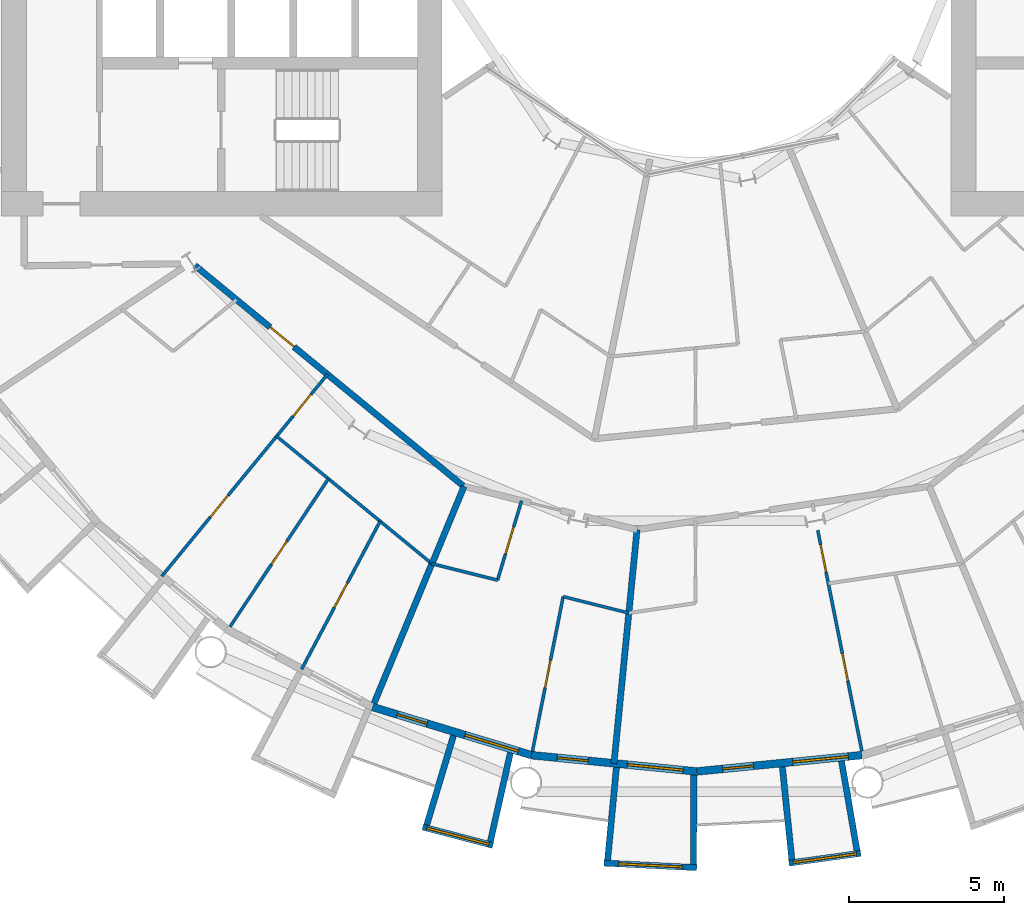
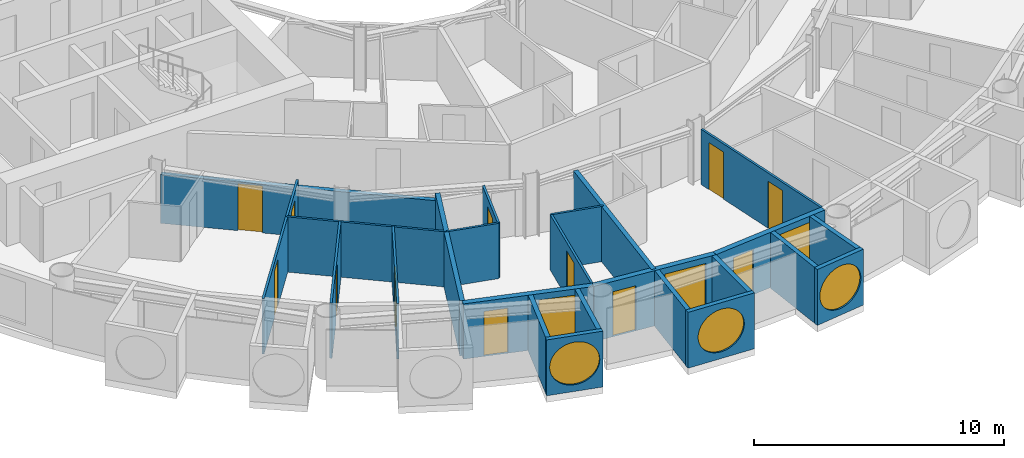
# One storey, part 13 of 26: 25 walls, 12 doors, 6 windows, 18 openings.
"""IFC4 building model written with IfcOpenShell, lengths in metres."""

from ifc_helpers import new_model, si_unit, direction, frame, frame_2d, origin, place, context, subcontext, project, spatial, rectangle, circle, extrude, material, layer, layer_set, type_object, element, fill, save


model = new_model("IFC4")

# Units and contexts
model_context = context("Model", 3, precision=1e-05, world=origin(), true_north=direction((0.0, 1.0)))
body_context = subcontext(model_context, "Body", "Model", "MODEL_VIEW")
ifc_project = project(units=[si_unit("LENGTHUNIT", "METRE"), si_unit("AREAUNIT", "SQUARE_METRE"), si_unit("VOLUMEUNIT", "CUBIC_METRE"), si_unit("PLANEANGLEUNIT", "RADIAN"), si_unit("MASSUNIT", "GRAM", prefix="KILO")], contexts=[model_context])

# Site, building, storey
site_placement = place(None, origin())
site = spatial("IfcSite", under=ifc_project, at=site_placement, CompositionType="ELEMENT")
building_placement = place(site_placement, origin())
building = spatial("IfcBuilding", under=site, at=building_placement, Name="Maasbend Ring Residences", CompositionType="ELEMENT")
storey_placement = place(building_placement, frame((0.0, 0.0, 35.0)))
storey = spatial("IfcBuildingStorey", under=building, at=storey_placement, Name="L09", CompositionType="ELEMENT", Elevation=35.0)

# Wall, opening, door
ifc_material_1 = material(Name="Concrete C30/37", Category="concrete")
ifc_layer_1 = layer(ifc_material_1, 0.199951171875)
ifc_layer_set_1 = layer_set([ifc_layer_1], Name="Concrete C30/37")
wall_type_1 = type_object("IfcWallType", Name="CORRIDOR WALL 200 CONCRETE", PredefinedType="PARTITIONING", material=ifc_layer_set_1)
wall_1_placement = place(storey_placement, frame((-16.173095703125, -10.989990234375, 0.0), z_axis=(0.0, 0.0, 1.0), x_axis=(0.772704887747, -0.634765434198, 0.0)))
wall_1 = element("IfcWall", 1, at=wall_1_placement, inside=storey, type_object=wall_type_1, Name="U-L09-w014", PredefinedType="PARTITIONING", context=body_context, shape_type="SweptSolid", body=[
    extrude(rectangle(XDim=11.208740234375, YDim=0.199951171875, at=frame_2d((5.6044921875, 0.0))), origin(), (0.0, 0.0, 1.0), 2.3798828125),
])
opening_1_placement = place(wall_1_placement, frame((3.136962890625, 0.0, 0.0)))
opening_1 = element("IfcOpeningElement", 2, at=opening_1_placement, cuts=wall_1, Name="Opening D-0933", PredefinedType="OPENING", context=body_context, shape_type="SweptSolid", body=[
    extrude(rectangle(XDim=1.0, YDim=2.300048828125, at=frame_2d((0.5, 1.14990234375))), frame((0.0, 0.10986328125, 0.0), z_axis=(0.0, -1.0, 0.0), x_axis=(1.0, 0.0, 0.0)), (0.0, 0.0, 1.0), 0.219970703125),
])
ifc_material_2 = material(Name="Timber, fire-rated, painted", Category="wood")
door_type_1 = type_object("IfcDoorType", Name="FLAT ENTRANCE DOOR 1000 X 2300 FIRE-RATED", OperationType="NOTDEFINED", PredefinedType="DOOR", material=ifc_material_2)
door_1_placement = place(opening_1_placement, origin())
door_1 = element("IfcDoor", 3, at=door_1_placement, inside=storey, type_object=door_type_1, Name="D-0933", OperationType="SINGLE_SWING_LEFT", OverallHeight=2.300048828125, OverallWidth=1.0, PredefinedType="DOOR", context=body_context, shape_type="SweptSolid", body=[
    extrude(rectangle(XDim=1.0, YDim=2.300048828125, at=frame_2d((0.5, 1.14990234375))), frame((0.0, 0.02490234375, 0.0), z_axis=(0.0, -1.0, 0.0), x_axis=(1.0, 0.0, 0.0)), (0.0, 0.0, 1.0), 0.050048828125),
])
fill(opening_1, door_1)

# Wall, opening, window
ifc_material_3 = material(Name="Pale anodised aluminium panel", Category="aluminium")
ifc_layer_2 = layer(ifc_material_3, 0.199951171875)
ifc_layer_set_2 = layer_set([ifc_layer_2], Name="EW-BOX")
wall_type_2 = type_object("IfcWallType", Name="EW-BOX", PredefinedType="SOLIDWALL", material=ifc_layer_set_2)
wall_2_placement = place(storey_placement, frame((-8.827880859375, -29.090087890625, -0.030029296875), z_axis=(0.0, 0.0, 1.0), x_axis=(0.967377102346, -0.253340762326, 0.0)))
wall_2 = element("IfcWall", 4, at=wall_2_placement, inside=storey, type_object=wall_type_2, Name="Box front S08", PredefinedType="SOLIDWALL", context=body_context, shape_type="SweptSolid", body=[
    extrude(rectangle(XDim=2.3359375, YDim=0.199951171875, at=frame_2d((1.16796875, 0.0))), origin(), (0.0, 0.0, 1.0), 2.72998046875),
])
opening_2_placement = place(wall_2_placement, frame((0.128173828125, 0.0, 0.330078125)))
opening_2 = element("IfcOpeningElement", 5, at=opening_2_placement, cuts=wall_2, Name="Opening W-RD", PredefinedType="OPENING", context=body_context, shape_type="SweptSolid", body=[
    extrude(circle(Radius=1.0400390625, at=frame_2d((1.0400390625, 1.0400390625))), frame((0.0, 0.10986328125, 0.0), z_axis=(0.0, -1.0, 0.0), x_axis=(1.0, 0.0, 0.0)), (0.0, 0.0, 1.0), 0.219970703125),
])
ifc_material_4 = material(Name="Aluminium and clear glass", Category="aluminium")
window_type_1 = type_object("IfcWindowType", Name="W-RD", PartitioningType="SINGLE_PANEL", PredefinedType="WINDOW", material=ifc_material_4)
window_1_placement = place(opening_2_placement, origin())
window_1 = element("IfcWindow", 6, at=window_1_placement, inside=storey, type_object=window_type_1, Name="Round window S08", OverallHeight=2.080078125, OverallWidth=2.080078125, PartitioningType="SINGLE_PANEL", PredefinedType="WINDOW", context=body_context, shape_type="SweptSolid", body=[
    extrude(circle(Radius=1.0400390625, at=frame_2d((1.0400390625, 1.0400390625))), frame((0.0, 0.030029296875, 0.0), z_axis=(0.0, -1.0, 0.0), x_axis=(1.0, 0.0, 0.0)), (0.0, 0.0, 1.0), 0.06005859375),
])
fill(opening_2, window_1)

# Walls
wall_3_placement = place(storey_placement, frame((-7.8369140625, -26.14404296875, -0.030029296875), z_axis=(0.0, 0.0, 1.0), x_axis=(-0.287064767992, -0.957911174889, 0.0)))
element("IfcWall", 7, at=wall_3_placement, inside=storey, type_object=wall_type_2, Name="Box side wall S08 left", PredefinedType="SOLIDWALL", context=body_context, shape_type="SweptSolid", body=[
    extrude(rectangle(XDim=3.00634765625, YDim=0.199951171875, at=frame_2d((1.503173828125, 0.0))), origin(), (0.0, 0.0, 1.0), 2.72998046875),
])
wall_4_placement = place(storey_placement, frame((-6.00390625, -26.699951171875, -0.030029296875), z_axis=(0.0, 0.0, 1.0), x_axis=(-0.219609259383, -0.975587911566, 0.0)))
element("IfcWall", 8, at=wall_4_placement, inside=storey, type_object=wall_type_2, Name="Box side wall S08 right", PredefinedType="SOLIDWALL", context=body_context, shape_type="SweptSolid", body=[
    extrude(rectangle(XDim=2.9326171875, YDim=0.199951171875, at=frame_2d((1.46630859375, 0.0))), origin(), (0.0, 0.0, 1.0), 2.72998046875),
])

# Wall, opening, window
wall_5_placement = place(storey_placement, frame((-2.985107421875, -30.2529296875, -0.030029296875), z_axis=(0.0, 0.0, 1.0), x_axis=(0.998794083011, -0.049095618353, 0.0)))
wall_5 = element("IfcWall", 9, at=wall_5_placement, inside=storey, type_object=wall_type_2, Name="Box front S10", PredefinedType="SOLIDWALL", context=body_context, shape_type="SweptSolid", body=[
    extrude(rectangle(XDim=2.99365234375, YDim=0.199951171875, at=frame_2d((1.496826171875, 0.0))), origin(), (0.0, 0.0, 1.0), 2.72998046875),
])
opening_3_placement = place(wall_5_placement, frame((0.45654296875, 0.0, 0.330078125)))
opening_3 = element("IfcOpeningElement", 10, at=opening_3_placement, cuts=wall_5, Name="Opening W-RD", PredefinedType="OPENING", context=body_context, shape_type="SweptSolid", body=[
    extrude(circle(Radius=1.0400390625, at=frame_2d((1.0400390625, 1.0400390625))), frame((0.0, 0.10986328125, 0.0), z_axis=(0.0, -1.0, 0.0), x_axis=(1.0, 0.0, 0.0)), (0.0, 0.0, 1.0), 0.219970703125),
])
window_2_placement = place(opening_3_placement, origin())
window_2 = element("IfcWindow", 11, at=window_2_placement, inside=storey, type_object=window_type_1, Name="Round window S10", OverallHeight=2.080078125, OverallWidth=2.080078125, PartitioningType="SINGLE_PANEL", PredefinedType="WINDOW", context=body_context, shape_type="SweptSolid", body=[
    extrude(circle(Radius=1.0400390625, at=frame_2d((1.0400390625, 1.0400390625))), frame((0.0, 0.030029296875, 0.0), z_axis=(0.0, -1.0, 0.0), x_axis=(1.0, 0.0, 0.0)), (0.0, 0.0, 1.0), 0.06005859375),
])
fill(opening_3, window_2)

# Walls
wall_6_placement = place(storey_placement, frame((-2.5859375, -27.1708984375, -0.030029296875), z_axis=(0.0, 0.0, 1.0), x_axis=(-0.094548432284, -0.995520262954, 0.0)))
element("IfcWall", 12, at=wall_6_placement, inside=storey, type_object=wall_type_2, Name="Box side wall S10 left", PredefinedType="SOLIDWALL", context=body_context, shape_type="SweptSolid", body=[
    extrude(rectangle(XDim=3.005615234375, YDim=0.199951171875, at=frame_2d((1.5029296875, 0.0))), origin(), (0.0, 0.0, 1.0), 2.72998046875),
])
wall_7_placement = place(storey_placement, frame((-0.090087890625, -27.4169921875, -0.030029296875), z_axis=(0.0, 0.0, 1.0), x_axis=(-0.00347308367, -0.999993968827, 0.0)))
element("IfcWall", 13, at=wall_7_placement, inside=storey, type_object=wall_type_2, Name="Box side wall S10 right", PredefinedType="SOLIDWALL", context=body_context, shape_type="SweptSolid", body=[
    extrude(rectangle(XDim=2.882080078125, YDim=0.199951171875, at=frame_2d((1.44091796875, 0.0))), origin(), (0.0, 0.0, 1.0), 2.72998046875),
])

# Wall, opening, window
wall_8_placement = place(storey_placement, frame((2.97607421875, -30.25390625, -0.030029296875), z_axis=(0.0, 0.0, 1.0), x_axis=(0.990696111261, 0.136092671119, 0.0)))
wall_8 = element("IfcWall", 14, at=wall_8_placement, inside=storey, type_object=wall_type_2, Name="Box front S12", PredefinedType="SOLIDWALL", context=body_context, shape_type="SweptSolid", body=[
    extrude(rectangle(XDim=2.335693359375, YDim=0.199951171875, at=frame_2d((1.16796875, 0.0))), origin(), (0.0, 0.0, 1.0), 2.72998046875),
])
opening_4_placement = place(wall_8_placement, frame((0.128173828125, 0.0, 0.330078125)))
opening_4 = element("IfcOpeningElement", 15, at=opening_4_placement, cuts=wall_8, Name="Opening W-RD", PredefinedType="OPENING", context=body_context, shape_type="SweptSolid", body=[
    extrude(circle(Radius=1.0400390625, at=frame_2d((1.0400390625, 1.0400390625))), frame((0.0, 0.10986328125, 0.0), z_axis=(0.0, -1.0, 0.0), x_axis=(1.0, 0.0, 0.0)), (0.0, 0.0, 1.0), 0.219970703125),
])
window_3_placement = place(opening_4_placement, origin())
window_3 = element("IfcWindow", 16, at=window_3_placement, inside=storey, type_object=window_type_1, Name="Round window S12", OverallHeight=2.080078125, OverallWidth=2.080078125, PartitioningType="SINGLE_PANEL", PredefinedType="WINDOW", context=body_context, shape_type="SweptSolid", body=[
    extrude(circle(Radius=1.0400390625, at=frame_2d((1.0400390625, 1.0400390625))), frame((0.0, 0.030029296875, 0.0), z_axis=(0.0, -1.0, 0.0), x_axis=(1.0, 0.0, 0.0)), (0.0, 0.0, 1.0), 0.06005859375),
])
fill(opening_4, window_3)

# Walls
wall_9_placement = place(storey_placement, frame((2.763916015625, -27.153076171875, -0.030029296875), z_axis=(0.0, 0.0, 1.0), x_axis=(0.101505487237, -0.994834979311, 0.0)))
element("IfcWall", 17, at=wall_9_placement, inside=storey, type_object=wall_type_2, Name="Box side wall S12 left", PredefinedType="SOLIDWALL", context=body_context, shape_type="SweptSolid", body=[
    extrude(rectangle(XDim=3.006591796875, YDim=0.199951171875, at=frame_2d((1.50341796875, 0.0))), origin(), (0.0, 0.0, 1.0), 2.72998046875),
])
wall_10_placement = place(storey_placement, frame((4.6708984375, -26.966064453125, -0.030029296875), z_axis=(0.0, 0.0, 1.0), x_axis=(0.170539878907, -0.985350774954, 0.0)))
element("IfcWall", 18, at=wall_10_placement, inside=storey, type_object=wall_type_2, Name="Box side wall S12 right", PredefinedType="SOLIDWALL", context=body_context, shape_type="SweptSolid", body=[
    extrude(rectangle(XDim=2.931884765625, YDim=0.199951171875, at=frame_2d((1.4658203125, 0.0))), origin(), (0.0, 0.0, 1.0), 2.72998046875),
])

# Wall, openings, door, window
ifc_material_5 = material(Name="Aluminium clad insulated panel", Category="aluminium")
ifc_layer_3 = layer(ifc_material_5, 0.25)
ifc_layer_set_3 = layer_set([ifc_layer_3], Name="EW-GL")
wall_type_3 = type_object("IfcWallType", Name="EW-GL", PredefinedType="SOLIDWALL", material=ifc_layer_set_3)
wall_11_placement = place(storey_placement, frame((-10.447021484375, -25.221923828125, 0.0), z_axis=(0.0, 0.0, 1.0), x_axis=(0.956965678721, -0.290201119486, 0.0)))
wall_11 = element("IfcWall", 19, at=wall_11_placement, inside=storey, type_object=wall_type_3, Name="External wall S04", PredefinedType="SOLIDWALL", context=body_context, shape_type="SweptSolid", body=[
    extrude(rectangle(XDim=5.351318359375, YDim=0.25, at=frame_2d((2.67578125, 0.0))), origin(), (0.0, 0.0, 1.0), 2.699951171875),
])
opening_5_placement = place(wall_11_placement, frame((0.841064453125, 0.0, 0.0)))
opening_5 = element("IfcOpeningElement", 20, at=opening_5_placement, cuts=wall_11, Name="Opening D-LG", PredefinedType="OPENING", context=body_context, shape_type="SweptSolid", body=[
    extrude(rectangle(XDim=1.0, YDim=2.199951171875, at=frame_2d((0.5, 1.10009765625))), frame((0.0, 0.135009765625, 0.0), z_axis=(0.0, -1.0, 0.0), x_axis=(1.0, 0.0, 0.0)), (0.0, 0.0, 1.0), 0.27001953125),
])
opening_6_placement = place(wall_11_placement, frame((3.110595703125, 0.0, 0.300048828125)))
opening_6 = element("IfcOpeningElement", 21, at=opening_6_placement, cuts=wall_11, Name="Opening W-BX", PredefinedType="OPENING", context=body_context, shape_type="SweptSolid", body=[
    extrude(rectangle(XDim=1.800048828125, YDim=2.10009765625, at=frame_2d((0.89990234375, 1.050048828125))), frame((0.0, 0.135009765625, 0.0), z_axis=(0.0, -1.0, 0.0), x_axis=(1.0, 0.0, 0.0)), (0.0, 0.0, 1.0), 0.27001953125),
])
ifc_material_6 = material(Name="Aluminium and clear glass", Category="aluminium")
door_type_2 = type_object("IfcDoorType", Name="D-LG", OperationType="SINGLE_SWING_LEFT", PredefinedType="DOOR", material=ifc_material_6)
door_2_placement = place(opening_5_placement, origin())
door_2 = element("IfcDoor", 22, at=door_2_placement, inside=storey, type_object=door_type_2, Name="Loggia door S07", OperationType="SINGLE_SWING_LEFT", OverallHeight=2.199951171875, OverallWidth=1.0, PredefinedType="DOOR", context=body_context, shape_type="SweptSolid", body=[
    extrude(rectangle(XDim=1.0, YDim=2.199951171875, at=frame_2d((0.5, 1.10009765625))), frame((0.0, 0.02490234375, 0.0), z_axis=(0.0, -1.0, 0.0), x_axis=(1.0, 0.0, 0.0)), (0.0, 0.0, 1.0), 0.050048828125),
])
fill(opening_5, door_2)
ifc_material_7 = material(Name="Aluminium and clear glass", Category="aluminium")
window_type_2 = type_object("IfcWindowType", Name="W-BX", PartitioningType="DOUBLE_PANEL_VERTICAL", PredefinedType="WINDOW", material=ifc_material_7)
window_4_placement = place(opening_6_placement, origin())
window_4 = element("IfcWindow", 23, at=window_4_placement, inside=storey, type_object=window_type_2, Name="Window S08 room to box", OverallHeight=2.10009765625, OverallWidth=1.800048828125, PartitioningType="SINGLE_PANEL", PredefinedType="WINDOW", context=body_context, shape_type="SweptSolid", body=[
    extrude(rectangle(XDim=1.800048828125, YDim=2.10009765625, at=frame_2d((0.89990234375, 1.050048828125))), frame((0.0, 0.030029296875, 0.0), z_axis=(0.0, -1.0, 0.0), x_axis=(1.0, 0.0, 0.0)), (0.0, 0.0, 1.0), 0.06005859375),
])
fill(opening_6, window_4)

wall_12_placement = place(storey_placement, frame((-5.325927734375, -26.77490234375, 0.0), z_axis=(0.0, 0.0, 1.0), x_axis=(0.995173996315, -0.098126026407, 0.0)))
wall_12 = element("IfcWall", 24, at=wall_12_placement, inside=storey, type_object=wall_type_3, Name="External wall S05", PredefinedType="SOLIDWALL", context=body_context, shape_type="SweptSolid", body=[
    extrude(rectangle(XDim=5.351806640625, YDim=0.25, at=frame_2d((2.67578125, 0.0))), origin(), (0.0, 0.0, 1.0), 2.699951171875),
])
opening_7_placement = place(wall_12_placement, frame((0.841064453125, 0.0, 0.0)))
opening_7 = element("IfcOpeningElement", 25, at=opening_7_placement, cuts=wall_12, Name="Opening D-LG", PredefinedType="OPENING", context=body_context, shape_type="SweptSolid", body=[
    extrude(rectangle(XDim=1.0, YDim=2.199951171875, at=frame_2d((0.5, 1.10009765625))), frame((0.0, 0.135009765625, 0.0), z_axis=(0.0, -1.0, 0.0), x_axis=(1.0, 0.0, 0.0)), (0.0, 0.0, 1.0), 0.27001953125),
])
opening_8_placement = place(wall_12_placement, frame((3.110595703125, 0.0, 0.300048828125)))
opening_8 = element("IfcOpeningElement", 26, at=opening_8_placement, cuts=wall_12, Name="Opening W-BX", PredefinedType="OPENING", context=body_context, shape_type="SweptSolid", body=[
    extrude(rectangle(XDim=1.800048828125, YDim=2.10009765625, at=frame_2d((0.89990234375, 1.050048828125))), frame((0.0, 0.135009765625, 0.0), z_axis=(0.0, -1.0, 0.0), x_axis=(1.0, 0.0, 0.0)), (0.0, 0.0, 1.0), 0.27001953125),
])
door_3_placement = place(opening_7_placement, origin())
door_3 = element("IfcDoor", 27, at=door_3_placement, inside=storey, type_object=door_type_2, Name="Loggia door S09", OperationType="SINGLE_SWING_LEFT", OverallHeight=2.199951171875, OverallWidth=1.0, PredefinedType="DOOR", context=body_context, shape_type="SweptSolid", body=[
    extrude(rectangle(XDim=1.0, YDim=2.199951171875, at=frame_2d((0.5, 1.10009765625))), frame((0.0, 0.02490234375, 0.0), z_axis=(0.0, -1.0, 0.0), x_axis=(1.0, 0.0, 0.0)), (0.0, 0.0, 1.0), 0.050048828125),
])
fill(opening_7, door_3)
window_5_placement = place(opening_8_placement, origin())
window_5 = element("IfcWindow", 28, at=window_5_placement, inside=storey, type_object=window_type_2, Name="Window S10 room to box", OverallHeight=2.10009765625, OverallWidth=1.800048828125, PartitioningType="SINGLE_PANEL", PredefinedType="WINDOW", context=body_context, shape_type="SweptSolid", body=[
    extrude(rectangle(XDim=1.800048828125, YDim=2.10009765625, at=frame_2d((0.89990234375, 1.050048828125))), frame((0.0, 0.030029296875, 0.0), z_axis=(0.0, -1.0, 0.0), x_axis=(1.0, 0.0, 0.0)), (0.0, 0.0, 1.0), 0.06005859375),
])
fill(opening_8, window_5)

wall_13_placement = place(storey_placement, frame((0.0, -27.300048828125, 0.0), z_axis=(0.0, 0.0, 1.0), x_axis=(0.995173996315, 0.098126026407, 0.0)))
wall_13 = element("IfcWall", 29, at=wall_13_placement, inside=storey, type_object=wall_type_3, Name="External wall S06", PredefinedType="SOLIDWALL", context=body_context, shape_type="SweptSolid", body=[
    extrude(rectangle(XDim=5.351806640625, YDim=0.25, at=frame_2d((2.67578125, 0.0))), origin(), (0.0, 0.0, 1.0), 2.699951171875),
])
opening_9_placement = place(wall_13_placement, frame((0.841064453125, 0.0, 0.0)))
opening_9 = element("IfcOpeningElement", 30, at=opening_9_placement, cuts=wall_13, Name="Opening D-LG", PredefinedType="OPENING", context=body_context, shape_type="SweptSolid", body=[
    extrude(rectangle(XDim=1.0, YDim=2.199951171875, at=frame_2d((0.5, 1.10009765625))), frame((0.0, 0.135009765625, 0.0), z_axis=(0.0, -1.0, 0.0), x_axis=(1.0, 0.0, 0.0)), (0.0, 0.0, 1.0), 0.27001953125),
])
opening_10_placement = place(wall_13_placement, frame((3.110595703125, 0.0, 0.300048828125)))
opening_10 = element("IfcOpeningElement", 31, at=opening_10_placement, cuts=wall_13, Name="Opening W-BX", PredefinedType="OPENING", context=body_context, shape_type="SweptSolid", body=[
    extrude(rectangle(XDim=1.800048828125, YDim=2.10009765625, at=frame_2d((0.89990234375, 1.050048828125))), frame((0.0, 0.135009765625, 0.0), z_axis=(0.0, -1.0, 0.0), x_axis=(1.0, 0.0, 0.0)), (0.0, 0.0, 1.0), 0.27001953125),
])
door_4_placement = place(opening_9_placement, origin())
door_4 = element("IfcDoor", 32, at=door_4_placement, inside=storey, type_object=door_type_2, Name="Loggia door S11", OperationType="SINGLE_SWING_LEFT", OverallHeight=2.199951171875, OverallWidth=1.0, PredefinedType="DOOR", context=body_context, shape_type="SweptSolid", body=[
    extrude(rectangle(XDim=1.0, YDim=2.199951171875, at=frame_2d((0.5, 1.10009765625))), frame((0.0, 0.02490234375, 0.0), z_axis=(0.0, -1.0, 0.0), x_axis=(1.0, 0.0, 0.0)), (0.0, 0.0, 1.0), 0.050048828125),
])
fill(opening_9, door_4)
window_6_placement = place(opening_10_placement, origin())
window_6 = element("IfcWindow", 33, at=window_6_placement, inside=storey, type_object=window_type_2, Name="Window S12 room to box", OverallHeight=2.10009765625, OverallWidth=1.800048828125, PartitioningType="SINGLE_PANEL", PredefinedType="WINDOW", context=body_context, shape_type="SweptSolid", body=[
    extrude(rectangle(XDim=1.800048828125, YDim=2.10009765625, at=frame_2d((0.89990234375, 1.050048828125))), frame((0.0, 0.030029296875, 0.0), z_axis=(0.0, -1.0, 0.0), x_axis=(1.0, 0.0, 0.0)), (0.0, 0.0, 1.0), 0.06005859375),
])
fill(opening_10, window_6)

# Walls
ifc_material_8 = material(Name="Gypsum board on steel studs", Category="steel")
ifc_layer_4 = layer(ifc_material_8, 0.10009765625)
ifc_layer_set_4 = layer_set([ifc_layer_4], Name="PARTITION 100 GYPSUM")
wall_type_4 = type_object("IfcWallType", Name="PARTITION 100 GYPSUM", PredefinedType="PARTITIONING", material=ifc_layer_set_4)
for number, where, z_axis, x_axis, name in (
    (34, (-8.533935546875, -20.60302734375, 0.0), (0.0, 0.0, 1.0), (0.97003047456, -0.242983288366, 0.0), "U-L09-w001"),
    (35, (-4.302001953125, -21.6630859375, 0.0), (0.0, 0.0, 1.0), (0.97003047456, -0.242983288366, 0.0), "U-L09-w002"),
):
    element("IfcWall", number, at=place(storey_placement, frame(where, z_axis=z_axis, x_axis=x_axis)), inside=storey, type_object=wall_type_4, Name=name, PredefinedType="PARTITIONING", context=body_context, shape_type="SweptSolid", body=[
        extrude(rectangle(XDim=2.181396484375, YDim=0.10009765625, at=frame_2d((1.0908203125, 0.0))), origin(), (0.0, 0.0, 1.0), 2.699951171875),
    ])
wall_14_placement = place(storey_placement, frame((-13.5380859375, -16.49609375, 0.0), z_axis=(0.0, 0.0, 1.0), x_axis=(0.773000340237, -0.634405606843, 0.0)))
element("IfcWall", 36, at=wall_14_placement, inside=storey, type_object=wall_type_4, Name="U-L09-w008", PredefinedType="PARTITIONING", context=body_context, shape_type="SweptSolid", body=[
    extrude(rectangle(XDim=6.4736328125, YDim=0.10009765625, at=frame_2d((3.23681640625, 0.0))), origin(), (0.0, 0.0, 1.0), 2.699951171875),
])

# Wall, openings, doors
wall_15_placement = place(storey_placement, frame((-17.239990234375, -21.007080078125, 0.0), z_axis=(0.0, 0.0, 1.0), x_axis=(0.634396151441, 0.77300810024, 0.0)))
wall_15 = element("IfcWall", 37, at=wall_15_placement, inside=storey, type_object=wall_type_4, Name="U-L09-w031", PredefinedType="PARTITIONING", context=body_context, shape_type="SweptSolid", body=[
    extrude(rectangle(XDim=8.419189453125, YDim=0.10009765625, at=frame_2d((4.20947265625, 0.0))), origin(), (0.0, 0.0, 1.0), 2.699951171875),
])
opening_11_placement = place(wall_15_placement, frame((6.678955078125, 0.0, 0.0)))
opening_11 = element("IfcOpeningElement", 38, at=opening_11_placement, cuts=wall_15, Name="Opening D-0935", PredefinedType="OPENING", context=body_context, shape_type="SweptSolid", body=[
    extrude(rectangle(XDim=0.89990234375, YDim=2.300048828125, at=frame_2d((0.449951171875, 1.14990234375))), frame((0.0, 0.06005859375, 0.0), z_axis=(0.0, -1.0, 0.0), x_axis=(1.0, 0.0, 0.0)), (0.0, 0.0, 1.0), 0.1201171875),
])
opening_12_placement = place(wall_15_placement, frame((2.468017578125, 0.0, 0.0)))
opening_12 = element("IfcOpeningElement", 39, at=opening_12_placement, cuts=wall_15, Name="Opening D-0936", PredefinedType="OPENING", context=body_context, shape_type="SweptSolid", body=[
    extrude(rectangle(XDim=0.89990234375, YDim=2.300048828125, at=frame_2d((0.449951171875, 1.14990234375))), frame((0.0, 0.06005859375, 0.0), z_axis=(0.0, -1.0, 0.0), x_axis=(1.0, 0.0, 0.0)), (0.0, 0.0, 1.0), 0.1201171875),
])
ifc_material_9 = material(Name="Timber, painted", Category="wood")
door_type_3 = type_object("IfcDoorType", Name="INTERNAL DOOR 900 X 2300", OperationType="NOTDEFINED", PredefinedType="DOOR", material=ifc_material_9)
door_5_placement = place(opening_11_placement, origin())
door_5 = element("IfcDoor", 40, at=door_5_placement, inside=storey, type_object=door_type_3, Name="D-0935", OperationType="SINGLE_SWING_RIGHT", OverallHeight=2.300048828125, OverallWidth=0.89990234375, PredefinedType="DOOR", context=body_context, shape_type="SweptSolid", body=[
    extrude(rectangle(XDim=0.89990234375, YDim=2.300048828125, at=frame_2d((0.449951171875, 1.14990234375))), frame((0.0, 0.02490234375, 0.0), z_axis=(0.0, -1.0, 0.0), x_axis=(1.0, 0.0, 0.0)), (0.0, 0.0, 1.0), 0.050048828125),
])
fill(opening_11, door_5)
door_6_placement = place(opening_12_placement, origin())
door_6 = element("IfcDoor", 41, at=door_6_placement, inside=storey, type_object=door_type_3, Name="D-0936", OperationType="SINGLE_SWING_LEFT", OverallHeight=2.300048828125, OverallWidth=0.89990234375, PredefinedType="DOOR", context=body_context, shape_type="SweptSolid", body=[
    extrude(rectangle(XDim=0.89990234375, YDim=2.300048828125, at=frame_2d((0.449951171875, 1.14990234375))), frame((0.0, 0.02490234375, 0.0), z_axis=(0.0, -1.0, 0.0), x_axis=(1.0, 0.0, 0.0)), (0.0, 0.0, 1.0), 0.050048828125),
])
fill(opening_12, door_6)

# Wall, opening, door
wall_16_placement = place(storey_placement, frame((-15.0390625, -22.634033203125, 0.0), z_axis=(0.0, 0.0, 1.0), x_axis=(0.553440102418, 0.832888980018, 0.0)))
wall_16 = element("IfcWall", 42, at=wall_16_placement, inside=storey, type_object=wall_type_4, Name="U-L09-w036", PredefinedType="PARTITIONING", context=body_context, shape_type="SweptSolid", body=[
    extrude(rectangle(XDim=5.725830078125, YDim=0.10009765625, at=frame_2d((2.86279296875, 0.0))), origin(), (0.0, 0.0, 1.0), 2.699951171875),
])
opening_13_placement = place(wall_16_placement, frame((2.4130859375, 0.0, 0.0)))
opening_13 = element("IfcOpeningElement", 43, at=opening_13_placement, cuts=wall_16, Name="Opening D-0937", PredefinedType="OPENING", context=body_context, shape_type="SweptSolid", body=[
    extrude(rectangle(XDim=0.89990234375, YDim=2.300048828125, at=frame_2d((0.449951171875, 1.14990234375))), frame((0.0, 0.06005859375, 0.0), z_axis=(0.0, -1.0, 0.0), x_axis=(1.0, 0.0, 0.0)), (0.0, 0.0, 1.0), 0.1201171875),
])
door_7_placement = place(opening_13_placement, origin())
door_7 = element("IfcDoor", 44, at=door_7_placement, inside=storey, type_object=door_type_3, Name="D-0937", OperationType="SINGLE_SWING_RIGHT", OverallHeight=2.300048828125, OverallWidth=0.89990234375, PredefinedType="DOOR", context=body_context, shape_type="SweptSolid", body=[
    extrude(rectangle(XDim=0.89990234375, YDim=2.300048828125, at=frame_2d((0.449951171875, 1.14990234375))), frame((0.0, 0.02490234375, 0.0), z_axis=(0.0, -1.0, 0.0), x_axis=(1.0, 0.0, 0.0)), (0.0, 0.0, 1.0), 0.050048828125),
])
fill(opening_13, door_7)

wall_17_placement = place(storey_placement, frame((-12.73388671875, -24.007080078125, 0.0), z_axis=(0.0, 0.0, 1.0), x_axis=(0.468610030042, 0.883405139075, 0.0)))
wall_17 = element("IfcWall", 45, at=wall_17_placement, inside=storey, type_object=wall_type_4, Name="U-L09-w038", PredefinedType="PARTITIONING", context=body_context, shape_type="SweptSolid", body=[
    extrude(rectangle(XDim=5.403076171875, YDim=0.10009765625, at=frame_2d((2.70166015625, 0.0))), origin(), (0.0, 0.0, 1.0), 2.699951171875),
])
opening_14_placement = place(wall_17_placement, frame((2.251953125, 0.0, 0.0)))
opening_14 = element("IfcOpeningElement", 46, at=opening_14_placement, cuts=wall_17, Name="Opening D-0938", PredefinedType="OPENING", context=body_context, shape_type="SweptSolid", body=[
    extrude(rectangle(XDim=0.89990234375, YDim=2.300048828125, at=frame_2d((0.449951171875, 1.14990234375))), frame((0.0, 0.06005859375, 0.0), z_axis=(0.0, -1.0, 0.0), x_axis=(1.0, 0.0, 0.0)), (0.0, 0.0, 1.0), 0.1201171875),
])
door_8_placement = place(opening_14_placement, origin())
door_8 = element("IfcDoor", 47, at=door_8_placement, inside=storey, type_object=door_type_3, Name="D-0938", OperationType="SINGLE_SWING_LEFT", OverallHeight=2.300048828125, OverallWidth=0.89990234375, PredefinedType="DOOR", context=body_context, shape_type="SweptSolid", body=[
    extrude(rectangle(XDim=0.89990234375, YDim=2.300048828125, at=frame_2d((0.449951171875, 1.14990234375))), frame((0.0, 0.02490234375, 0.0), z_axis=(0.0, -1.0, 0.0), x_axis=(1.0, 0.0, 0.0)), (0.0, 0.0, 1.0), 0.050048828125),
])
fill(opening_14, door_8)

wall_18_placement = place(storey_placement, frame((-6.41796875, -21.133056640625, 0.0), z_axis=(0.0, 0.0, 1.0), x_axis=(0.290478618436, 0.956881482855, 0.0)))
wall_18 = element("IfcWall", 48, at=wall_18_placement, inside=storey, type_object=wall_type_4, Name="U-L09-w047", PredefinedType="PARTITIONING", context=body_context, shape_type="SweptSolid", body=[
    extrude(rectangle(XDim=2.67431640625, YDim=0.10009765625, at=frame_2d((1.337158203125, 0.0))), origin(), (0.0, 0.0, 1.0), 2.699951171875),
])
opening_15_placement = place(wall_18_placement, frame((0.886962890625, 0.0, 0.0)))
opening_15 = element("IfcOpeningElement", 49, at=opening_15_placement, cuts=wall_18, Name="Opening D-0940", PredefinedType="OPENING", context=body_context, shape_type="SweptSolid", body=[
    extrude(rectangle(XDim=0.89990234375, YDim=2.300048828125, at=frame_2d((0.449951171875, 1.14990234375))), frame((0.0, 0.06005859375, 0.0), z_axis=(0.0, -1.0, 0.0), x_axis=(1.0, 0.0, 0.0)), (0.0, 0.0, 1.0), 0.1201171875),
])
door_9_placement = place(opening_15_placement, origin())
door_9 = element("IfcDoor", 50, at=door_9_placement, inside=storey, type_object=door_type_3, Name="D-0940", OperationType="SINGLE_SWING_LEFT", OverallHeight=2.300048828125, OverallWidth=0.89990234375, PredefinedType="DOOR", context=body_context, shape_type="SweptSolid", body=[
    extrude(rectangle(XDim=0.89990234375, YDim=2.300048828125, at=frame_2d((0.449951171875, 1.14990234375))), frame((0.0, 0.02490234375, 0.0), z_axis=(0.0, -1.0, 0.0), x_axis=(1.0, 0.0, 0.0)), (0.0, 0.0, 1.0), 0.050048828125),
])
fill(opening_15, door_9)

wall_19_placement = place(storey_placement, frame((-5.29296875, -26.655029296875, 0.0), z_axis=(0.0, 0.0, 1.0), x_axis=(0.194713709563, 0.980860118115, 0.0)))
wall_19 = element("IfcWall", 51, at=wall_19_placement, inside=storey, type_object=wall_type_4, Name="U-L09-w051", PredefinedType="PARTITIONING", context=body_context, shape_type="SweptSolid", body=[
    extrude(rectangle(XDim=5.08935546875, YDim=0.10009765625, at=frame_2d((2.544677734375, 0.0))), origin(), (0.0, 0.0, 1.0), 2.699951171875),
])
opening_16_placement = place(wall_19_placement, frame((2.094970703125, 0.0, 0.0)))
opening_16 = element("IfcOpeningElement", 52, at=opening_16_placement, cuts=wall_19, Name="Opening D-0941", PredefinedType="OPENING", context=body_context, shape_type="SweptSolid", body=[
    extrude(rectangle(XDim=0.89990234375, YDim=2.300048828125, at=frame_2d((0.449951171875, 1.14990234375))), frame((0.0, 0.06005859375, 0.0), z_axis=(0.0, -1.0, 0.0), x_axis=(1.0, 0.0, 0.0)), (0.0, 0.0, 1.0), 0.1201171875),
])
door_10_placement = place(opening_16_placement, origin())
door_10 = element("IfcDoor", 53, at=door_10_placement, inside=storey, type_object=door_type_3, Name="D-0941", OperationType="SINGLE_SWING_RIGHT", OverallHeight=2.300048828125, OverallWidth=0.89990234375, PredefinedType="DOOR", context=body_context, shape_type="SweptSolid", body=[
    extrude(rectangle(XDim=0.89990234375, YDim=2.300048828125, at=frame_2d((0.449951171875, 1.14990234375))), frame((0.0, 0.02490234375, 0.0), z_axis=(0.0, -1.0, 0.0), x_axis=(1.0, 0.0, 0.0)), (0.0, 0.0, 1.0), 0.050048828125),
])
fill(opening_16, door_10)

# Wall, openings, doors
wall_20_placement = place(storey_placement, frame((3.903076171875, -19.52392578125, 0.0), z_axis=(0.0, 0.0, 1.0), x_axis=(0.195986881771, -0.980606517505, 0.0)))
wall_20 = element("IfcWall", 54, at=wall_20_placement, inside=storey, type_object=wall_type_4, Name="U-L09-w069", PredefinedType="PARTITIONING", context=body_context, shape_type="SweptSolid", body=[
    extrude(rectangle(XDim=7.264892578125, YDim=0.10009765625, at=frame_2d((3.63232421875, 0.0))), origin(), (0.0, 0.0, 1.0), 2.699951171875),
])
opening_17_placement = place(wall_20_placement, frame((0.47607421875, 0.0, 0.0)))
opening_17 = element("IfcOpeningElement", 55, at=opening_17_placement, cuts=wall_20, Name="Opening D-0944", PredefinedType="OPENING", context=body_context, shape_type="SweptSolid", body=[
    extrude(rectangle(XDim=0.89990234375, YDim=2.300048828125, at=frame_2d((0.449951171875, 1.14990234375))), frame((0.0, 0.06005859375, 0.0), z_axis=(0.0, -1.0, 0.0), x_axis=(1.0, 0.0, 0.0)), (0.0, 0.0, 1.0), 0.1201171875),
])
opening_18_placement = place(wall_20_placement, frame((4.056884765625, 0.0, 0.0)))
opening_18 = element("IfcOpeningElement", 56, at=opening_18_placement, cuts=wall_20, Name="Opening D-0945", PredefinedType="OPENING", context=body_context, shape_type="SweptSolid", body=[
    extrude(rectangle(XDim=0.89990234375, YDim=2.300048828125, at=frame_2d((0.449951171875, 1.14990234375))), frame((0.0, 0.06005859375, 0.0), z_axis=(0.0, -1.0, 0.0), x_axis=(1.0, 0.0, 0.0)), (0.0, 0.0, 1.0), 0.1201171875),
])
door_11_placement = place(opening_17_placement, origin())
door_11 = element("IfcDoor", 57, at=door_11_placement, inside=storey, type_object=door_type_3, Name="D-0944", OperationType="SINGLE_SWING_LEFT", OverallHeight=2.300048828125, OverallWidth=0.89990234375, PredefinedType="DOOR", context=body_context, shape_type="SweptSolid", body=[
    extrude(rectangle(XDim=0.89990234375, YDim=2.300048828125, at=frame_2d((0.449951171875, 1.14990234375))), frame((0.0, 0.02490234375, 0.0), z_axis=(0.0, -1.0, 0.0), x_axis=(1.0, 0.0, 0.0)), (0.0, 0.0, 1.0), 0.050048828125),
])
fill(opening_17, door_11)
door_12_placement = place(opening_18_placement, origin())
door_12 = element("IfcDoor", 58, at=door_12_placement, inside=storey, type_object=door_type_3, Name="D-0945", OperationType="SINGLE_SWING_RIGHT", OverallHeight=2.300048828125, OverallWidth=0.89990234375, PredefinedType="DOOR", context=body_context, shape_type="SweptSolid", body=[
    extrude(rectangle(XDim=0.89990234375, YDim=2.300048828125, at=frame_2d((0.449951171875, 1.14990234375))), frame((0.0, 0.02490234375, 0.0), z_axis=(0.0, -1.0, 0.0), x_axis=(1.0, 0.0, 0.0)), (0.0, 0.0, 1.0), 0.050048828125),
])
fill(opening_18, door_12)

# Walls
ifc_material_10 = material(Name="Concrete C30/37", Category="concrete")
ifc_layer_5 = layer(ifc_material_10, 0.199951171875)
ifc_layer_set_5 = layer_set([ifc_layer_5], Name="Concrete C30/37")
wall_type_5 = type_object("IfcWallType", Name="PARTY WALL 200 CONCRETE", PredefinedType="PARTITIONING", material=ifc_layer_set_5)
wall_21_placement = place(storey_placement, frame((-10.39892578125, -25.10595703125, 0.0), z_axis=(0.0, 0.0, 1.0), x_axis=(0.382651153718, 0.923892902104, 0.0)))
element("IfcWall", 59, at=wall_21_placement, inside=storey, type_object=wall_type_5, Name="U-L09-w040", PredefinedType="PARTITIONING", context=body_context, shape_type="SweptSolid", body=[
    extrude(rectangle(XDim=4.873779296875, YDim=0.199951171875, at=frame_2d((2.43701171875, 0.0))), origin(), (0.0, 0.0, 1.0), 2.699951171875),
])
wall_22_placement = place(storey_placement, frame((-8.529052734375, -20.60498046875, 0.0), z_axis=(0.0, 0.0, 1.0), x_axis=(0.382540781694, 0.923938607452, 0.0)))
element("IfcWall", 60, at=wall_22_placement, inside=storey, type_object=wall_type_5, Name="U-L09-w044", PredefinedType="PARTITIONING", context=body_context, shape_type="SweptSolid", body=[
    extrude(rectangle(XDim=2.7001953125, YDim=0.199951171875, at=frame_2d((1.35009765625, 0.0))), origin(), (0.0, 0.0, 1.0), 2.699951171875),
])
wall_23_placement = place(storey_placement, frame((-2.6640625, -27.0439453125, 0.0), z_axis=(0.0, 0.0, 1.0), x_axis=(0.098115395479, 0.995175044487, 0.0)))
element("IfcWall", 61, at=wall_23_placement, inside=storey, type_object=wall_type_5, Name="U-L09-w055", PredefinedType="PARTITIONING", context=body_context, shape_type="SweptSolid", body=[
    extrude(rectangle(XDim=7.574462890625, YDim=0.199951171875, at=frame_2d((3.787109375, 0.0))), origin(), (0.0, 0.0, 1.0), 2.699951171875),
])

save(model, "model.ifc")
